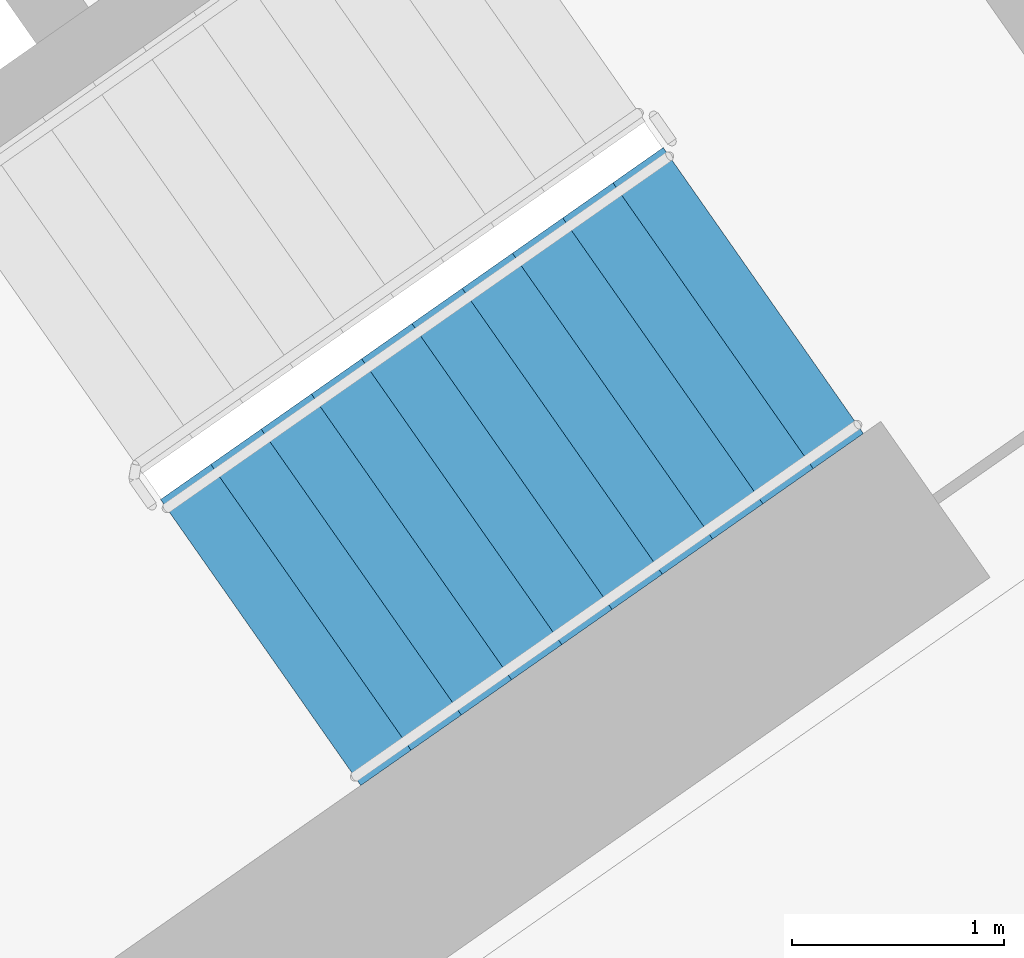
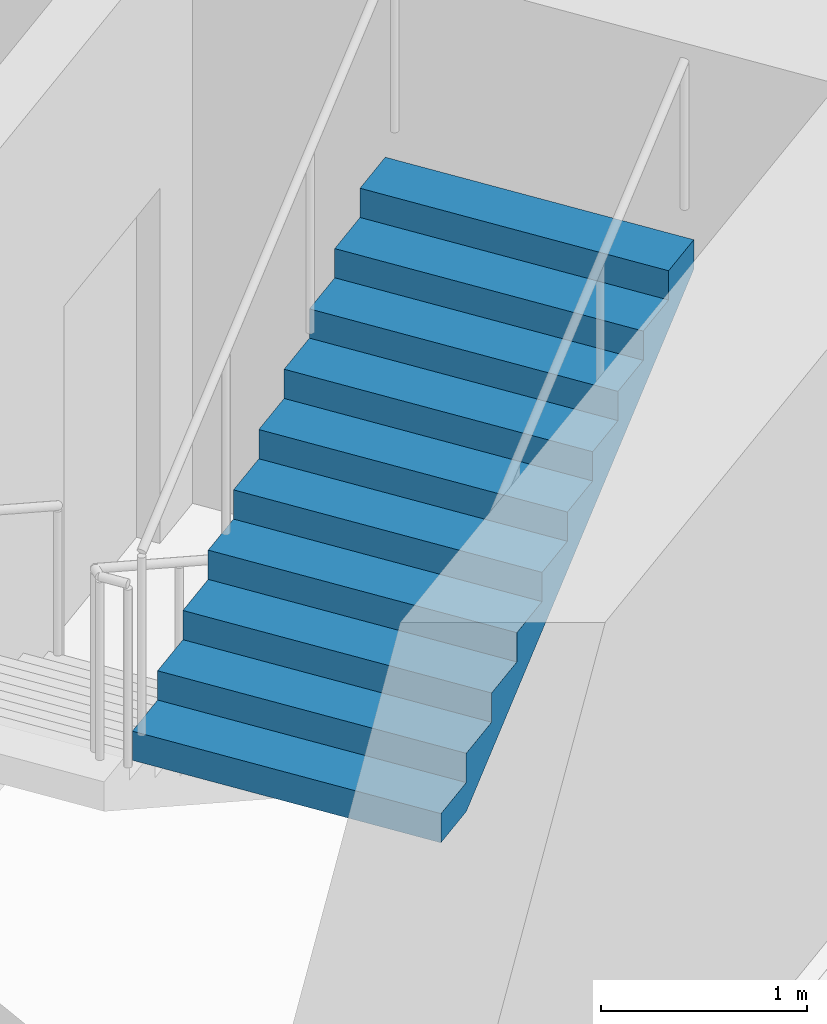
# One storey, part 16 of 31: 1 stair flight, 1 element without a shape of its own.
"""IFC4 building model written with IfcOpenShell, lengths in metres."""

from ifc_helpers import new_model, si_unit, direction, frame, origin, place, context, subcontext, project, spatial, faceted_brep, material, type_object, element, aggregate, save


model = new_model("IFC4")

# Units and contexts
model_context = context("Model", 3, precision=1e-05, world=origin(), true_north=direction((0.0, 1.0)))
body_context = subcontext(model_context, "Body", "Model", "MODEL_VIEW")
ifc_project = project(units=[si_unit("LENGTHUNIT", "METRE"), si_unit("AREAUNIT", "SQUARE_METRE"), si_unit("VOLUMEUNIT", "CUBIC_METRE"), si_unit("PLANEANGLEUNIT", "RADIAN"), si_unit("MASSUNIT", "GRAM", prefix="KILO")], contexts=[model_context])

# Site, building, storey
site_placement = place(None, origin())
site = spatial("IfcSite", under=ifc_project, at=site_placement, CompositionType="ELEMENT")
building_placement = place(site_placement, origin())
building = spatial("IfcBuilding", under=site, at=building_placement, Name="Qamariyya Broadcast Tower", CompositionType="ELEMENT")
storey_placement = place(building_placement, frame((0.0, 0.0, 59.5)))
storey = spatial("IfcBuildingStorey", under=building, at=storey_placement, Name="L11", CompositionType="ELEMENT", Elevation=59.5)

# Stair, stair flight
ifc_material = material(Name="Concrete C50/60", Category="concrete")
stair_type = type_object("IfcStairType", Name="Exit stair 22 risers of 173 mm", PredefinedType="HALF_TURN_STAIR", material=ifc_material)
stair_placement = place(storey_placement, origin())
stair = element("IfcStair", 1, at=stair_placement, inside=storey, type_object=stair_type, Name="L11 Stair E1", PredefinedType="HALF_TURN_STAIR")
stair_flight_type = type_object("IfcStairFlightType", Name="Exit stair flight 11 risers of 173 mm", PredefinedType="STRAIGHT", material=ifc_material)
stair_flight_placement = place(storey_placement, frame((44.693359375, -58.64599609375, 1.89990234375), z_axis=(0.0, 0.0, 1.0), x_axis=(0.819152044289, 0.573576436351, 0.0)))
stair_flight = element("IfcStairFlight", 2, at=stair_flight_placement, type_object=stair_flight_type, Name="ST-E1 flight 2", NumberOfRisers=11, NumberOfTreads=10, PredefinedType="STRAIGHT", RiserHeight=0.172727273, TreadLength=0.29, context=body_context, shape_type="Brep", body=[
    faceted_brep([(0.0, 0.824951171875, 0.0), (0.0, 0.824951171875, 0.172607421875), (0.2900390625, 0.824951171875, 0.172607421875), (0.2900390625, 0.824951171875, 0.345458984375), (0.580078125, 0.824951171875, 0.345458984375), (0.580078125, 0.824951171875, 0.51806640625), (0.8701171875, 0.824951171875, 0.51806640625), (0.8701171875, 0.824951171875, 0.69091796875), (1.159912109375, 0.824951171875, 0.69091796875), (1.159912109375, 0.824951171875, 0.863525390625), (1.449951171875, 0.824951171875, 0.863525390625), (1.449951171875, 0.824951171875, 1.036376953125), (1.739990234375, 0.824951171875, 1.036376953125), (1.739990234375, 0.824951171875, 1.208984375), (2.030029296875, 0.824951171875, 1.208984375), (2.030029296875, 0.824951171875, 1.3818359375), (2.320068359375, 0.824951171875, 1.3818359375), (2.320068359375, 0.824951171875, 1.554443359375), (2.610107421875, 0.824951171875, 1.554443359375), (2.610107421875, 0.824951171875, 1.727294921875), (2.89990234375, 0.824951171875, 1.727294921875), (2.89990234375, 0.824951171875, 1.552734375), (0.29296875, 0.824951171875, 0.0), (0.29296875, -0.824951171875, 0.0), (2.89990234375, -0.824951171875, 1.552734375), (2.89990234375, -0.824951171875, 1.727294921875), (2.610107421875, -0.824951171875, 1.727294921875), (2.610107421875, -0.824951171875, 1.554443359375), (2.320068359375, -0.824951171875, 1.554443359375), (2.320068359375, -0.824951171875, 1.3818359375), (2.030029296875, -0.824951171875, 1.3818359375), (2.030029296875, -0.824951171875, 1.208984375), (1.739990234375, -0.824951171875, 1.208984375), (1.739990234375, -0.824951171875, 1.036376953125), (1.449951171875, -0.824951171875, 1.036376953125), (1.449951171875, -0.824951171875, 0.863525390625), (1.159912109375, -0.824951171875, 0.863525390625), (1.159912109375, -0.824951171875, 0.69091796875), (0.8701171875, -0.824951171875, 0.69091796875), (0.8701171875, -0.824951171875, 0.51806640625), (0.580078125, -0.824951171875, 0.51806640625), (0.580078125, -0.824951171875, 0.345458984375), (0.2900390625, -0.824951171875, 0.345458984375), (0.2900390625, -0.824951171875, 0.172607421875), (0.0, -0.824951171875, 0.172607421875), (0.0, -0.824951171875, 0.0), (0.0, 0.10009765625, 0.0), (0.0, 0.086669921875, 0.0), (0.0, 0.0732421875, 0.0), (0.0, 0.06005859375, 0.0), (0.0, 0.046630859375, 0.0), (0.0, 0.033447265625, 0.0), (0.0, 0.02001953125, 0.0), (0.0, 0.006591796875, 0.0), (0.0, -0.006591796875, 0.0), (0.0, -0.02001953125, 0.0), (0.0, -0.033447265625, 0.0), (0.0, -0.046630859375, 0.0), (0.0, -0.06005859375, 0.0), (0.0, -0.0732421875, 0.0), (0.0, -0.086669921875, 0.0), (0.0, -0.10009765625, 0.0), (0.0, -0.10009765625, 0.172607421875), (0.0, -0.086669921875, 0.172607421875), (0.0, -0.0732421875, 0.172607421875), (0.0, -0.06005859375, 0.172607421875), (0.0, -0.046630859375, 0.172607421875), (0.0, -0.033447265625, 0.172607421875), (0.0, -0.02001953125, 0.172607421875), (0.0, -0.006591796875, 0.172607421875), (0.0, 0.006591796875, 0.172607421875), (0.0, 0.02001953125, 0.172607421875), (0.0, 0.033447265625, 0.172607421875), (0.0, 0.046630859375, 0.172607421875), (0.0, 0.06005859375, 0.172607421875), (0.0, 0.0732421875, 0.172607421875), (0.0, 0.086669921875, 0.172607421875), (0.0, 0.10009765625, 0.172607421875), (0.2900390625, -0.10009765625, 0.172607421875), (0.2900390625, -0.086669921875, 0.172607421875), (0.2900390625, -0.0732421875, 0.172607421875), (0.2900390625, -0.06005859375, 0.172607421875), (0.2900390625, -0.046630859375, 0.172607421875), (0.2900390625, -0.033447265625, 0.172607421875), (0.2900390625, -0.02001953125, 0.172607421875), (0.2900390625, -0.006591796875, 0.172607421875), (0.2900390625, 0.006591796875, 0.172607421875), (0.2900390625, 0.02001953125, 0.172607421875), (0.2900390625, 0.033447265625, 0.172607421875), (0.2900390625, 0.046630859375, 0.172607421875), (0.2900390625, 0.06005859375, 0.172607421875), (0.2900390625, 0.0732421875, 0.172607421875), (0.2900390625, 0.086669921875, 0.172607421875), (0.2900390625, 0.10009765625, 0.172607421875), (0.2900390625, -0.10009765625, 0.345458984375), (0.2900390625, -0.086669921875, 0.345458984375), (0.2900390625, -0.0732421875, 0.345458984375), (0.2900390625, -0.06005859375, 0.345458984375), (0.2900390625, -0.046630859375, 0.345458984375), (0.2900390625, -0.033447265625, 0.345458984375), (0.2900390625, -0.02001953125, 0.345458984375), (0.2900390625, -0.006591796875, 0.345458984375), (0.2900390625, 0.006591796875, 0.345458984375), (0.2900390625, 0.02001953125, 0.345458984375), (0.2900390625, 0.033447265625, 0.345458984375), (0.2900390625, 0.046630859375, 0.345458984375), (0.2900390625, 0.06005859375, 0.345458984375), (0.2900390625, 0.0732421875, 0.345458984375), (0.2900390625, 0.086669921875, 0.345458984375), (0.2900390625, 0.10009765625, 0.345458984375), (0.580078125, -0.10009765625, 0.345458984375), (0.580078125, -0.086669921875, 0.345458984375), (0.580078125, -0.0732421875, 0.345458984375), (0.580078125, -0.06005859375, 0.345458984375), (0.580078125, -0.046630859375, 0.345458984375), (0.580078125, -0.033447265625, 0.345458984375), (0.580078125, -0.02001953125, 0.345458984375), (0.580078125, -0.006591796875, 0.345458984375), (0.580078125, 0.006591796875, 0.345458984375), (0.580078125, 0.02001953125, 0.345458984375), (0.580078125, 0.033447265625, 0.345458984375), (0.580078125, 0.046630859375, 0.345458984375), (0.580078125, 0.06005859375, 0.345458984375), (0.580078125, 0.0732421875, 0.345458984375), (0.580078125, 0.086669921875, 0.345458984375), (0.580078125, 0.10009765625, 0.345458984375), (0.580078125, -0.10009765625, 0.51806640625), (0.580078125, -0.086669921875, 0.51806640625), (0.580078125, -0.0732421875, 0.51806640625), (0.580078125, -0.06005859375, 0.51806640625), (0.580078125, -0.046630859375, 0.51806640625), (0.580078125, -0.033447265625, 0.51806640625), (0.580078125, -0.02001953125, 0.51806640625), (0.580078125, -0.006591796875, 0.51806640625), (0.580078125, 0.006591796875, 0.51806640625), (0.580078125, 0.02001953125, 0.51806640625), (0.580078125, 0.033447265625, 0.51806640625), (0.580078125, 0.046630859375, 0.51806640625), (0.580078125, 0.06005859375, 0.51806640625), (0.580078125, 0.0732421875, 0.51806640625), (0.580078125, 0.086669921875, 0.51806640625), (0.580078125, 0.10009765625, 0.51806640625), (0.8701171875, -0.10009765625, 0.51806640625), (0.8701171875, -0.086669921875, 0.51806640625), (0.8701171875, -0.0732421875, 0.51806640625), (0.8701171875, -0.06005859375, 0.51806640625), (0.8701171875, -0.046630859375, 0.51806640625), (0.8701171875, -0.033447265625, 0.51806640625), (0.8701171875, -0.02001953125, 0.51806640625), (0.8701171875, -0.006591796875, 0.51806640625), (0.8701171875, 0.006591796875, 0.51806640625), (0.8701171875, 0.02001953125, 0.51806640625), (0.8701171875, 0.033447265625, 0.51806640625), (0.8701171875, 0.046630859375, 0.51806640625), (0.8701171875, 0.06005859375, 0.51806640625), (0.8701171875, 0.0732421875, 0.51806640625), (0.8701171875, 0.086669921875, 0.51806640625), (0.8701171875, 0.10009765625, 0.51806640625), (0.8701171875, -0.10009765625, 0.69091796875), (0.8701171875, -0.086669921875, 0.69091796875), (0.8701171875, -0.0732421875, 0.69091796875), (0.8701171875, -0.06005859375, 0.69091796875), (0.8701171875, -0.046630859375, 0.69091796875), (0.8701171875, -0.033447265625, 0.69091796875), (0.8701171875, -0.02001953125, 0.69091796875), (0.8701171875, -0.006591796875, 0.69091796875), (0.8701171875, 0.006591796875, 0.69091796875), (0.8701171875, 0.02001953125, 0.69091796875), (0.8701171875, 0.033447265625, 0.69091796875), (0.8701171875, 0.046630859375, 0.69091796875), (0.8701171875, 0.06005859375, 0.69091796875), (0.8701171875, 0.0732421875, 0.69091796875), (0.8701171875, 0.086669921875, 0.69091796875), (0.8701171875, 0.10009765625, 0.69091796875), (1.159912109375, -0.10009765625, 0.69091796875), (1.159912109375, -0.086669921875, 0.69091796875), (1.159912109375, -0.0732421875, 0.69091796875), (1.159912109375, -0.06005859375, 0.69091796875), (1.159912109375, -0.046630859375, 0.69091796875), (1.159912109375, -0.033447265625, 0.69091796875), (1.159912109375, -0.02001953125, 0.69091796875), (1.159912109375, -0.006591796875, 0.69091796875), (1.159912109375, 0.006591796875, 0.69091796875), (1.159912109375, 0.02001953125, 0.69091796875), (1.159912109375, 0.033447265625, 0.69091796875), (1.159912109375, 0.046630859375, 0.69091796875), (1.159912109375, 0.06005859375, 0.69091796875), (1.159912109375, 0.0732421875, 0.69091796875), (1.159912109375, 0.086669921875, 0.69091796875), (1.159912109375, 0.10009765625, 0.69091796875), (1.159912109375, -0.10009765625, 0.863525390625), (1.159912109375, -0.086669921875, 0.863525390625), (1.159912109375, -0.0732421875, 0.863525390625), (1.159912109375, -0.06005859375, 0.863525390625), (1.159912109375, -0.046630859375, 0.863525390625), (1.159912109375, -0.033447265625, 0.863525390625), (1.159912109375, -0.02001953125, 0.863525390625), (1.159912109375, -0.006591796875, 0.863525390625), (1.159912109375, 0.006591796875, 0.863525390625), (1.159912109375, 0.02001953125, 0.863525390625), (1.159912109375, 0.033447265625, 0.863525390625), (1.159912109375, 0.046630859375, 0.863525390625), (1.159912109375, 0.06005859375, 0.863525390625), (1.159912109375, 0.0732421875, 0.863525390625), (1.159912109375, 0.086669921875, 0.863525390625), (1.159912109375, 0.10009765625, 0.863525390625), (1.449951171875, -0.10009765625, 0.863525390625), (1.449951171875, -0.086669921875, 0.863525390625), (1.449951171875, -0.0732421875, 0.863525390625), (1.449951171875, -0.06005859375, 0.863525390625), (1.449951171875, -0.046630859375, 0.863525390625), (1.449951171875, -0.033447265625, 0.863525390625), (1.449951171875, -0.02001953125, 0.863525390625), (1.449951171875, -0.006591796875, 0.863525390625), (1.449951171875, 0.006591796875, 0.863525390625), (1.449951171875, 0.02001953125, 0.863525390625), (1.449951171875, 0.033447265625, 0.863525390625), (1.449951171875, 0.046630859375, 0.863525390625), (1.449951171875, 0.06005859375, 0.863525390625), (1.449951171875, 0.0732421875, 0.863525390625), (1.449951171875, 0.086669921875, 0.863525390625), (1.449951171875, 0.10009765625, 0.863525390625), (1.449951171875, -0.10009765625, 1.036376953125), (1.449951171875, -0.086669921875, 1.036376953125), (1.449951171875, -0.0732421875, 1.036376953125), (1.449951171875, -0.06005859375, 1.036376953125), (1.449951171875, -0.046630859375, 1.036376953125), (1.449951171875, -0.033447265625, 1.036376953125), (1.449951171875, -0.02001953125, 1.036376953125), (1.449951171875, -0.006591796875, 1.036376953125), (1.449951171875, 0.006591796875, 1.036376953125), (1.449951171875, 0.02001953125, 1.036376953125), (1.449951171875, 0.033447265625, 1.036376953125), (1.449951171875, 0.046630859375, 1.036376953125), (1.449951171875, 0.06005859375, 1.036376953125), (1.449951171875, 0.0732421875, 1.036376953125), (1.449951171875, 0.086669921875, 1.036376953125), (1.449951171875, 0.10009765625, 1.036376953125), (1.739990234375, -0.10009765625, 1.036376953125), (1.739990234375, -0.086669921875, 1.036376953125), (1.739990234375, -0.0732421875, 1.036376953125), (1.739990234375, -0.06005859375, 1.036376953125), (1.739990234375, -0.046630859375, 1.036376953125), (1.739990234375, -0.033447265625, 1.036376953125), (1.739990234375, -0.02001953125, 1.036376953125), (1.739990234375, -0.006591796875, 1.036376953125), (1.739990234375, 0.006591796875, 1.036376953125), (1.739990234375, 0.02001953125, 1.036376953125), (1.739990234375, 0.033447265625, 1.036376953125), (1.739990234375, 0.046630859375, 1.036376953125), (1.739990234375, 0.06005859375, 1.036376953125), (1.739990234375, 0.0732421875, 1.036376953125), (1.739990234375, 0.086669921875, 1.036376953125), (1.739990234375, 0.10009765625, 1.036376953125), (1.739990234375, -0.10009765625, 1.208984375), (1.739990234375, -0.086669921875, 1.208984375), (1.739990234375, -0.0732421875, 1.208984375), (1.739990234375, -0.06005859375, 1.208984375), (1.739990234375, -0.046630859375, 1.208984375), (1.739990234375, -0.033447265625, 1.208984375), (1.739990234375, -0.02001953125, 1.208984375), (1.739990234375, -0.006591796875, 1.208984375), (1.739990234375, 0.006591796875, 1.208984375), (1.739990234375, 0.02001953125, 1.208984375), (1.739990234375, 0.033447265625, 1.208984375), (1.739990234375, 0.046630859375, 1.208984375), (1.739990234375, 0.06005859375, 1.208984375), (1.739990234375, 0.0732421875, 1.208984375), (1.739990234375, 0.086669921875, 1.208984375), (1.739990234375, 0.10009765625, 1.208984375), (2.030029296875, -0.10009765625, 1.208984375), (2.030029296875, -0.086669921875, 1.208984375), (2.030029296875, -0.0732421875, 1.208984375), (2.030029296875, -0.06005859375, 1.208984375), (2.030029296875, -0.046630859375, 1.208984375), (2.030029296875, -0.033447265625, 1.208984375), (2.030029296875, -0.02001953125, 1.208984375), (2.030029296875, -0.006591796875, 1.208984375), (2.030029296875, 0.006591796875, 1.208984375), (2.030029296875, 0.02001953125, 1.208984375), (2.030029296875, 0.033447265625, 1.208984375), (2.030029296875, 0.046630859375, 1.208984375), (2.030029296875, 0.06005859375, 1.208984375), (2.030029296875, 0.0732421875, 1.208984375), (2.030029296875, 0.086669921875, 1.208984375), (2.030029296875, 0.10009765625, 1.208984375), (2.030029296875, -0.10009765625, 1.3818359375), (2.030029296875, -0.086669921875, 1.3818359375), (2.030029296875, -0.0732421875, 1.3818359375), (2.030029296875, -0.06005859375, 1.3818359375), (2.030029296875, -0.046630859375, 1.3818359375), (2.030029296875, -0.033447265625, 1.3818359375), (2.030029296875, -0.02001953125, 1.3818359375), (2.030029296875, -0.006591796875, 1.3818359375), (2.030029296875, 0.006591796875, 1.3818359375), (2.030029296875, 0.02001953125, 1.3818359375), (2.030029296875, 0.033447265625, 1.3818359375), (2.030029296875, 0.046630859375, 1.3818359375), (2.030029296875, 0.06005859375, 1.3818359375), (2.030029296875, 0.0732421875, 1.3818359375), (2.030029296875, 0.086669921875, 1.3818359375), (2.030029296875, 0.10009765625, 1.3818359375), (2.320068359375, -0.10009765625, 1.3818359375), (2.320068359375, -0.086669921875, 1.3818359375), (2.320068359375, -0.0732421875, 1.3818359375), (2.320068359375, -0.06005859375, 1.3818359375), (2.320068359375, -0.046630859375, 1.3818359375), (2.320068359375, -0.033447265625, 1.3818359375), (2.320068359375, -0.02001953125, 1.3818359375), (2.320068359375, -0.006591796875, 1.3818359375), (2.320068359375, 0.006591796875, 1.3818359375), (2.320068359375, 0.02001953125, 1.3818359375), (2.320068359375, 0.033447265625, 1.3818359375), (2.320068359375, 0.046630859375, 1.3818359375), (2.320068359375, 0.06005859375, 1.3818359375), (2.320068359375, 0.0732421875, 1.3818359375), (2.320068359375, 0.086669921875, 1.3818359375), (2.320068359375, 0.10009765625, 1.3818359375), (2.320068359375, -0.10009765625, 1.554443359375), (2.320068359375, -0.086669921875, 1.554443359375), (2.320068359375, -0.0732421875, 1.554443359375), (2.320068359375, -0.06005859375, 1.554443359375), (2.320068359375, -0.046630859375, 1.554443359375), (2.320068359375, -0.033447265625, 1.554443359375), (2.320068359375, -0.02001953125, 1.554443359375), (2.320068359375, -0.006591796875, 1.554443359375), (2.320068359375, 0.006591796875, 1.554443359375), (2.320068359375, 0.02001953125, 1.554443359375), (2.320068359375, 0.033447265625, 1.554443359375), (2.320068359375, 0.046630859375, 1.554443359375), (2.320068359375, 0.06005859375, 1.554443359375), (2.320068359375, 0.0732421875, 1.554443359375), (2.320068359375, 0.086669921875, 1.554443359375), (2.320068359375, 0.10009765625, 1.554443359375), (2.610107421875, -0.10009765625, 1.554443359375), (2.610107421875, -0.086669921875, 1.554443359375), (2.610107421875, -0.0732421875, 1.554443359375), (2.610107421875, -0.06005859375, 1.554443359375), (2.610107421875, -0.046630859375, 1.554443359375), (2.610107421875, -0.033447265625, 1.554443359375), (2.610107421875, -0.02001953125, 1.554443359375), (2.610107421875, -0.006591796875, 1.554443359375), (2.610107421875, 0.006591796875, 1.554443359375), (2.610107421875, 0.02001953125, 1.554443359375), (2.610107421875, 0.033447265625, 1.554443359375), (2.610107421875, 0.046630859375, 1.554443359375), (2.610107421875, 0.06005859375, 1.554443359375), (2.610107421875, 0.0732421875, 1.554443359375), (2.610107421875, 0.086669921875, 1.554443359375), (2.610107421875, 0.10009765625, 1.554443359375), (2.610107421875, -0.10009765625, 1.727294921875), (2.610107421875, -0.086669921875, 1.727294921875), (2.610107421875, -0.0732421875, 1.727294921875), (2.610107421875, -0.06005859375, 1.727294921875), (2.610107421875, -0.046630859375, 1.727294921875), (2.610107421875, -0.033447265625, 1.727294921875), (2.610107421875, -0.02001953125, 1.727294921875), (2.610107421875, -0.006591796875, 1.727294921875), (2.610107421875, 0.006591796875, 1.727294921875), (2.610107421875, 0.02001953125, 1.727294921875), (2.610107421875, 0.033447265625, 1.727294921875), (2.610107421875, 0.046630859375, 1.727294921875), (2.610107421875, 0.06005859375, 1.727294921875), (2.610107421875, 0.0732421875, 1.727294921875), (2.610107421875, 0.086669921875, 1.727294921875), (2.610107421875, 0.10009765625, 1.727294921875), (2.89990234375, -0.10009765625, 1.727294921875), (2.89990234375, -0.086669921875, 1.727294921875), (2.89990234375, -0.0732421875, 1.727294921875), (2.89990234375, -0.06005859375, 1.727294921875), (2.89990234375, -0.046630859375, 1.727294921875), (2.89990234375, -0.033447265625, 1.727294921875), (2.89990234375, -0.02001953125, 1.727294921875), (2.89990234375, -0.006591796875, 1.727294921875), (2.89990234375, 0.006591796875, 1.727294921875), (2.89990234375, 0.02001953125, 1.727294921875), (2.89990234375, 0.033447265625, 1.727294921875), (2.89990234375, 0.046630859375, 1.727294921875), (2.89990234375, 0.06005859375, 1.727294921875), (2.89990234375, 0.0732421875, 1.727294921875), (2.89990234375, 0.086669921875, 1.727294921875), (2.89990234375, 0.10009765625, 1.727294921875), (2.89990234375, -0.10009765625, 1.552734375), (2.89990234375, -0.086669921875, 1.552734375), (2.89990234375, -0.0732421875, 1.552734375), (2.89990234375, -0.06005859375, 1.552734375), (2.89990234375, -0.046630859375, 1.552734375), (2.89990234375, -0.033447265625, 1.552734375), (2.89990234375, -0.02001953125, 1.552734375), (2.89990234375, -0.006591796875, 1.552734375), (2.89990234375, 0.006591796875, 1.552734375), (2.89990234375, 0.02001953125, 1.552734375), (2.89990234375, 0.033447265625, 1.552734375), (2.89990234375, 0.046630859375, 1.552734375), (2.89990234375, 0.06005859375, 1.552734375), (2.89990234375, 0.0732421875, 1.552734375), (2.89990234375, 0.086669921875, 1.552734375), (2.89990234375, 0.10009765625, 1.552734375), (0.29296875, -0.10009765625, 0.0), (0.29296875, -0.086669921875, 0.0), (0.29296875, -0.0732421875, 0.0), (0.29296875, -0.06005859375, 0.0), (0.29296875, -0.046630859375, 0.0), (0.29296875, -0.033447265625, 0.0), (0.29296875, -0.02001953125, 0.0), (0.29296875, -0.006591796875, 0.0), (0.29296875, 0.006591796875, 0.0), (0.29296875, 0.02001953125, 0.0), (0.29296875, 0.033447265625, 0.0), (0.29296875, 0.046630859375, 0.0), (0.29296875, 0.06005859375, 0.0), (0.29296875, 0.0732421875, 0.0), (0.29296875, 0.086669921875, 0.0), (0.29296875, 0.10009765625, 0.0)], [[[0, 1, 2, 3, 4, 5, 6, 7, 8, 9, 10, 11, 12, 13, 14, 15, 16, 17, 18, 19, 20, 21, 22]], [[23, 24, 25, 26, 27, 28, 29, 30, 31, 32, 33, 34, 35, 36, 37, 38, 39, 40, 41, 42, 43, 44, 45]], [[0, 46, 47, 48, 49, 50, 51, 52, 53, 54, 55, 56, 57, 58, 59, 60, 61, 45, 44, 62, 63, 64, 65, 66, 67, 68, 69, 70, 71, 72, 73, 74, 75, 76, 77, 1]], [[1, 77, 76, 75, 74, 73, 72, 71, 70, 69, 68, 67, 66, 65, 64, 63, 62, 44, 43, 78, 79, 80, 81, 82, 83, 84, 85, 86, 87, 88, 89, 90, 91, 92, 93, 2]], [[2, 93, 92, 91, 90, 89, 88, 87, 86, 85, 84, 83, 82, 81, 80, 79, 78, 43, 42, 94, 95, 96, 97, 98, 99, 100, 101, 102, 103, 104, 105, 106, 107, 108, 109, 3]], [[3, 109, 108, 107, 106, 105, 104, 103, 102, 101, 100, 99, 98, 97, 96, 95, 94, 42, 41, 110, 111, 112, 113, 114, 115, 116, 117, 118, 119, 120, 121, 122, 123, 124, 125, 4]], [[4, 125, 124, 123, 122, 121, 120, 119, 118, 117, 116, 115, 114, 113, 112, 111, 110, 41, 40, 126, 127, 128, 129, 130, 131, 132, 133, 134, 135, 136, 137, 138, 139, 140, 141, 5]], [[5, 141, 140, 139, 138, 137, 136, 135, 134, 133, 132, 131, 130, 129, 128, 127, 126, 40, 39, 142, 143, 144, 145, 146, 147, 148, 149, 150, 151, 152, 153, 154, 155, 156, 157, 6]], [[6, 157, 156, 155, 154, 153, 152, 151, 150, 149, 148, 147, 146, 145, 144, 143, 142, 39, 38, 158, 159, 160, 161, 162, 163, 164, 165, 166, 167, 168, 169, 170, 171, 172, 173, 7]], [[7, 173, 172, 171, 170, 169, 168, 167, 166, 165, 164, 163, 162, 161, 160, 159, 158, 38, 37, 174, 175, 176, 177, 178, 179, 180, 181, 182, 183, 184, 185, 186, 187, 188, 189, 8]], [[8, 189, 188, 187, 186, 185, 184, 183, 182, 181, 180, 179, 178, 177, 176, 175, 174, 37, 36, 190, 191, 192, 193, 194, 195, 196, 197, 198, 199, 200, 201, 202, 203, 204, 205, 9]], [[9, 205, 204, 203, 202, 201, 200, 199, 198, 197, 196, 195, 194, 193, 192, 191, 190, 36, 35, 206, 207, 208, 209, 210, 211, 212, 213, 214, 215, 216, 217, 218, 219, 220, 221, 10]], [[10, 221, 220, 219, 218, 217, 216, 215, 214, 213, 212, 211, 210, 209, 208, 207, 206, 35, 34, 222, 223, 224, 225, 226, 227, 228, 229, 230, 231, 232, 233, 234, 235, 236, 237, 11]], [[11, 237, 236, 235, 234, 233, 232, 231, 230, 229, 228, 227, 226, 225, 224, 223, 222, 34, 33, 238, 239, 240, 241, 242, 243, 244, 245, 246, 247, 248, 249, 250, 251, 252, 253, 12]], [[12, 253, 252, 251, 250, 249, 248, 247, 246, 245, 244, 243, 242, 241, 240, 239, 238, 33, 32, 254, 255, 256, 257, 258, 259, 260, 261, 262, 263, 264, 265, 266, 267, 268, 269, 13]], [[13, 269, 268, 267, 266, 265, 264, 263, 262, 261, 260, 259, 258, 257, 256, 255, 254, 32, 31, 270, 271, 272, 273, 274, 275, 276, 277, 278, 279, 280, 281, 282, 283, 284, 285, 14]], [[14, 285, 284, 283, 282, 281, 280, 279, 278, 277, 276, 275, 274, 273, 272, 271, 270, 31, 30, 286, 287, 288, 289, 290, 291, 292, 293, 294, 295, 296, 297, 298, 299, 300, 301, 15]], [[15, 301, 300, 299, 298, 297, 296, 295, 294, 293, 292, 291, 290, 289, 288, 287, 286, 30, 29, 302, 303, 304, 305, 306, 307, 308, 309, 310, 311, 312, 313, 314, 315, 316, 317, 16]], [[16, 317, 316, 315, 314, 313, 312, 311, 310, 309, 308, 307, 306, 305, 304, 303, 302, 29, 28, 318, 319, 320, 321, 322, 323, 324, 325, 326, 327, 328, 329, 330, 331, 332, 333, 17]], [[17, 333, 332, 331, 330, 329, 328, 327, 326, 325, 324, 323, 322, 321, 320, 319, 318, 28, 27, 334, 335, 336, 337, 338, 339, 340, 341, 342, 343, 344, 345, 346, 347, 348, 349, 18]], [[18, 349, 348, 347, 346, 345, 344, 343, 342, 341, 340, 339, 338, 337, 336, 335, 334, 27, 26, 350, 351, 352, 353, 354, 355, 356, 357, 358, 359, 360, 361, 362, 363, 364, 365, 19]], [[19, 365, 364, 363, 362, 361, 360, 359, 358, 357, 356, 355, 354, 353, 352, 351, 350, 26, 25, 366, 367, 368, 369, 370, 371, 372, 373, 374, 375, 376, 377, 378, 379, 380, 381, 20]], [[20, 381, 380, 379, 378, 377, 376, 375, 374, 373, 372, 371, 370, 369, 368, 367, 366, 25, 24, 382, 383, 384, 385, 386, 387, 388, 389, 390, 391, 392, 393, 394, 395, 396, 397, 21]], [[21, 397, 396, 395, 394, 393, 392, 391, 390, 389, 388, 387, 386, 385, 384, 383, 382, 24, 23, 398, 399, 400, 401, 402, 403, 404, 405, 406, 407, 408, 409, 410, 411, 412, 413, 22]], [[22, 413, 412, 411, 410, 409, 408, 407, 406, 405, 404, 403, 402, 401, 400, 399, 398, 23, 45, 61, 60, 59, 58, 57, 56, 55, 54, 53, 52, 51, 50, 49, 48, 47, 46, 0]]]),
])
aggregate(stair, [stair_flight])

save(model, "model.ifc")
